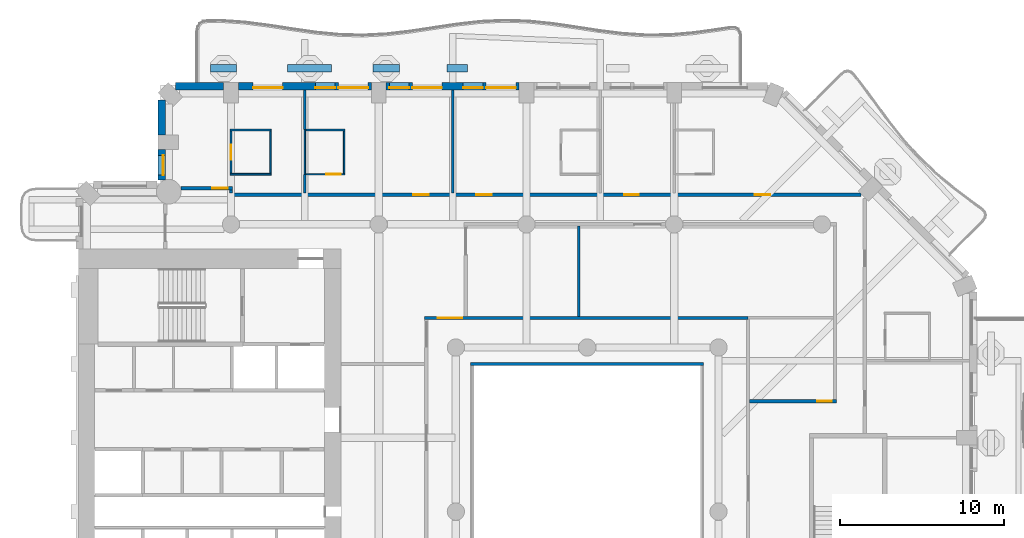
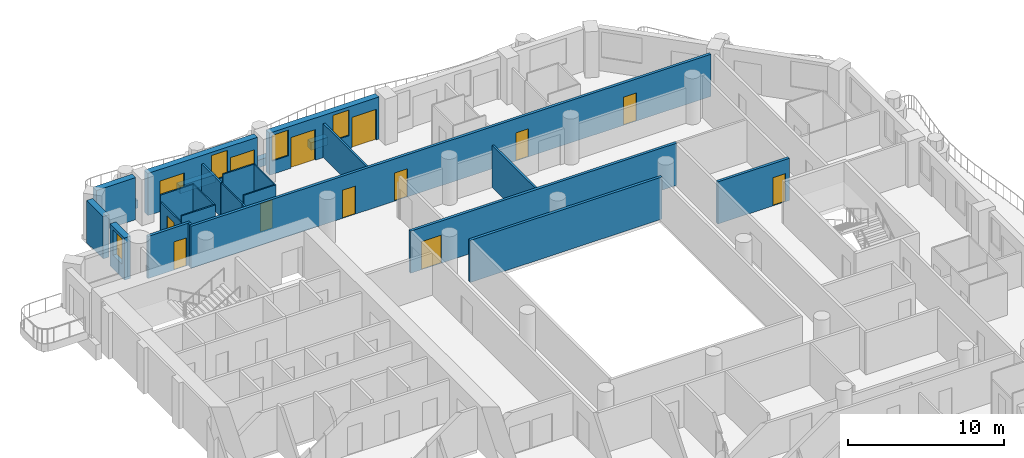
# One storey, part 8 of 20: 27 walls, 13 doors, 4 windows, 17 openings.
"""IFC4 building model written with IfcOpenShell, lengths in metres."""

from ifc_helpers import new_model, si_unit, direction, frame, frame_2d, origin, place, context, subcontext, project, spatial, rectangle, extrude, material, layer, layer_set, type_object, element, fill, save


model = new_model("IFC4")

# Units and contexts
model_context = context("Model", 3, precision=1e-05, world=origin(), true_north=direction((0.0, 1.0)))
body_context = subcontext(model_context, "Body", "Model", "MODEL_VIEW")
ifc_project = project(units=[si_unit("LENGTHUNIT", "METRE"), si_unit("AREAUNIT", "SQUARE_METRE"), si_unit("VOLUMEUNIT", "CUBIC_METRE"), si_unit("PLANEANGLEUNIT", "RADIAN"), si_unit("MASSUNIT", "GRAM", prefix="KILO")], contexts=[model_context])

# Site, building, storey
site_placement = place(None, origin())
site = spatial("IfcSite", under=ifc_project, at=site_placement, CompositionType="ELEMENT")
building_placement = place(site_placement, origin())
building = spatial("IfcBuilding", under=site, at=building_placement, Name="Cypress Arch Tower", CompositionType="ELEMENT")
storey_placement = place(building_placement, frame((0.0, 0.0, 123.89990234375)))
storey = spatial("IfcBuildingStorey", under=building, at=storey_placement, Name="L26", CompositionType="ELEMENT", Elevation=123.89990234375)

# Walls
ifc_material_1 = material(Name="Concrete C40/50, waterproofed", Category="concrete")
ifc_layer_1 = layer(ifc_material_1, 0.449951171875)
ifc_layer_set_1 = layer_set([ifc_layer_1], Name="Balcony planter wall PW450")
wall_type_1 = type_object("IfcWallType", Name="Balcony planter wall PW450", PredefinedType="SOLIDWALL", material=ifc_layer_set_1)
wall_1_placement = place(storey_placement, frame((-6.300048828125, 27.0, 0.0), z_axis=(0.0, 0.0, 1.0), x_axis=(-1.0, 0.0, 0.0)))
element("IfcWall", 1, at=wall_1_placement, inside=storey, type_object=wall_type_1, Name="Balcony planter wall L26-A08.3", PredefinedType="SOLIDWALL", context=body_context, shape_type="SweptSolid", body=[
    extrude(rectangle(XDim=1.25, YDim=0.449951171875, at=frame_2d((0.625, 0.0))), origin(), (0.0, 0.0, 1.0), 0.60009765625),
])
wall_2_placement = place(storey_placement, frame((-10.4375, 27.0, 0.0), z_axis=(0.0, 0.0, 1.0), x_axis=(-1.0, 0.0, 0.0)))
element("IfcWall", 2, at=wall_2_placement, inside=storey, type_object=wall_type_1, Name="Balcony planter wall L26-A08.4", PredefinedType="SOLIDWALL", context=body_context, shape_type="SweptSolid", body=[
    extrude(rectangle(XDim=1.612548828125, YDim=0.449951171875, at=frame_2d((0.80615234375, 0.0))), origin(), (0.0, 0.0, 1.0), 0.60009765625),
])
wall_3_placement = place(storey_placement, frame((-14.574951171875, 27.0, 0.0), z_axis=(0.0, 0.0, 1.0), x_axis=(-1.0, 0.0, 0.0)))
element("IfcWall", 3, at=wall_3_placement, inside=storey, type_object=wall_type_1, Name="Balcony planter wall L26-A08.5", PredefinedType="SOLIDWALL", context=body_context, shape_type="SweptSolid", body=[
    extrude(rectangle(XDim=2.675048828125, YDim=0.449951171875, at=frame_2d((1.33740234375, 0.0))), origin(), (0.0, 0.0, 1.0), 0.60009765625),
])
wall_4_placement = place(storey_placement, frame((-20.35009765625, 27.0, 0.0), z_axis=(0.0, 0.0, 1.0), x_axis=(-1.0, 0.0, 0.0)))
element("IfcWall", 4, at=wall_4_placement, inside=storey, type_object=wall_type_1, Name="Balcony planter wall L26-A08.6", PredefinedType="SOLIDWALL", context=body_context, shape_type="SweptSolid", body=[
    extrude(rectangle(XDim=1.599853515625, YDim=0.449951171875, at=frame_2d((0.7998046875, 0.0))), origin(), (0.0, 0.0, 1.0), 0.60009765625),
])

# Wall, openings, doors, windows
ifc_material_2 = material(Name="Brick (red buff blend)", Category="masonry")
ifc_layer_2 = layer(ifc_material_2, 0.449951171875)
ifc_layer_set_2 = layer_set([ifc_layer_2], Name="Brick pier and spandrel wall BW450")
wall_type_2 = type_object("IfcWallType", Name="Brick pier and spandrel wall BW450", PredefinedType="SOLIDWALL", material=ifc_layer_set_2)
wall_5_placement = place(storey_placement, frame((-3.14990234375, 25.925048828125, 0.0), z_axis=(0.0, 0.0, 1.0), x_axis=(-1.0, 0.0, 0.0)))
wall_5 = element("IfcWall", 5, at=wall_5_placement, inside=storey, type_object=wall_type_2, Name="Brick wall L26 A08.2", PredefinedType="SOLIDWALL", context=body_context, shape_type="SweptSolid", body=[
    extrude(rectangle(XDim=8.10009765625, YDim=0.449951171875, at=frame_2d((4.050048828125, 0.0))), origin(), (0.0, 0.0, 1.0), 3.300048828125),
])
opening_1_placement = place(wall_5_placement, frame((0.199951171875, 0.0, 0.0)))
opening_1 = element("IfcOpeningElement", 6, at=opening_1_placement, cuts=wall_5, Name="Opening D-L26-A08.2.1", PredefinedType="OPENING", context=body_context, shape_type="SweptSolid", body=[
    extrude(rectangle(XDim=1.800048828125, YDim=2.39990234375, at=frame_2d((0.89990234375, 1.199951171875))), frame((0.0, 0.23486328125, 0.0), z_axis=(0.0, -1.0, 0.0), x_axis=(1.0, 0.0, 0.0)), (0.0, 0.0, 1.0), 0.469970703125),
])
opening_2_placement = place(wall_5_placement, frame((2.199951171875, 0.0, 1.050048828125)))
opening_2 = element("IfcOpeningElement", 7, at=opening_2_placement, cuts=wall_5, Name="Opening W120HD", PredefinedType="OPENING", context=body_context, shape_type="SweptSolid", body=[
    extrude(rectangle(XDim=1.199951171875, YDim=2.0, at=frame_2d((0.60009765625, 1.0))), frame((0.0, 0.23486328125, 0.0), z_axis=(0.0, -1.0, 0.0), x_axis=(1.0, 0.0, 0.0)), (0.0, 0.0, 1.0), 0.469970703125),
])
opening_3_placement = place(wall_5_placement, frame((4.699951171875, 0.0, 0.0)))
opening_3 = element("IfcOpeningElement", 8, at=opening_3_placement, cuts=wall_5, Name="Opening D-L26-A08.2.2", PredefinedType="OPENING", context=body_context, shape_type="SweptSolid", body=[
    extrude(rectangle(XDim=1.800048828125, YDim=2.39990234375, at=frame_2d((0.89990234375, 1.199951171875))), frame((0.0, 0.23486328125, 0.0), z_axis=(0.0, -1.0, 0.0), x_axis=(1.0, 0.0, 0.0)), (0.0, 0.0, 1.0), 0.469970703125),
])
opening_4_placement = place(wall_5_placement, frame((6.699951171875, 0.0, 1.050048828125)))
opening_4 = element("IfcOpeningElement", 9, at=opening_4_placement, cuts=wall_5, Name="Opening W120HD", PredefinedType="OPENING", context=body_context, shape_type="SweptSolid", body=[
    extrude(rectangle(XDim=1.199951171875, YDim=2.0, at=frame_2d((0.60009765625, 1.0))), frame((0.0, 0.23486328125, 0.0), z_axis=(0.0, -1.0, 0.0), x_axis=(1.0, 0.0, 0.0)), (0.0, 0.0, 1.0), 0.469970703125),
])
ifc_material_3 = material(Name="Anodised aluminium, bronze finish, laminated low-emissivity double glazing, large-missile impact rated", Category="aluminium")
door_type_1 = type_object("IfcDoorType", Name="Balcony sliding door 1800x2400", OperationType="SLIDING_TO_LEFT", PredefinedType="DOOR", material=ifc_material_3)
door_1_placement = place(opening_1_placement, origin())
door_1 = element("IfcDoor", 10, at=door_1_placement, inside=storey, type_object=door_type_1, Name="Balcony door L26 A08.2.1", OperationType="SLIDING_TO_LEFT", OverallHeight=2.39990234375, OverallWidth=1.800048828125, PredefinedType="DOOR", context=body_context, shape_type="SweptSolid", body=[
    extrude(rectangle(XDim=1.800048828125, YDim=2.39990234375, at=frame_2d((0.89990234375, 1.199951171875))), frame((0.0, 0.1298828125, 0.0), z_axis=(0.0, -1.0, 0.0), x_axis=(1.0, 0.0, 0.0)), (0.0, 0.0, 1.0), 0.050048828125),
])
fill(opening_1, door_1)
door_2_placement = place(opening_3_placement, origin())
door_2 = element("IfcDoor", 11, at=door_2_placement, inside=storey, type_object=door_type_1, Name="Balcony door L26 A08.2.2", OperationType="SLIDING_TO_LEFT", OverallHeight=2.39990234375, OverallWidth=1.800048828125, PredefinedType="DOOR", context=body_context, shape_type="SweptSolid", body=[
    extrude(rectangle(XDim=1.800048828125, YDim=2.39990234375, at=frame_2d((0.89990234375, 1.199951171875))), frame((0.0, 0.1298828125, 0.0), z_axis=(0.0, -1.0, 0.0), x_axis=(1.0, 0.0, 0.0)), (0.0, 0.0, 1.0), 0.050048828125),
])
fill(opening_3, door_2)
ifc_material_4 = material(Name="Anodised aluminium, bronze finish, laminated low-emissivity double glazing, large-missile impact rated", Category="aluminium")
window_type_1 = type_object("IfcWindowType", Name="Window Hotel 1200x2000 debris-rated", PartitioningType="SINGLE_PANEL", PredefinedType="WINDOW", material=ifc_material_4)
window_1_placement = place(opening_2_placement, origin())
window_1 = element("IfcWindow", 12, at=window_1_placement, inside=storey, type_object=window_type_1, Name="Window L26 A08.2.1", OverallHeight=2.0, OverallWidth=1.199951171875, PartitioningType="SINGLE_PANEL", PredefinedType="WINDOW", context=body_context, shape_type="SweptSolid", body=[
    extrude(rectangle(XDim=1.199951171875, YDim=2.0, at=frame_2d((0.60009765625, 1.0))), frame((0.0, 0.135009765625, 0.0), z_axis=(0.0, -1.0, 0.0), x_axis=(1.0, 0.0, 0.0)), (0.0, 0.0, 1.0), 0.06005859375),
])
fill(opening_2, window_1)
window_2_placement = place(opening_4_placement, origin())
window_2 = element("IfcWindow", 13, at=window_2_placement, inside=storey, type_object=window_type_1, Name="Window L26 A08.2.2", OverallHeight=2.0, OverallWidth=1.199951171875, PartitioningType="SINGLE_PANEL", PredefinedType="WINDOW", context=body_context, shape_type="SweptSolid", body=[
    extrude(rectangle(XDim=1.199951171875, YDim=2.0, at=frame_2d((0.60009765625, 1.0))), frame((0.0, 0.135009765625, 0.0), z_axis=(0.0, -1.0, 0.0), x_axis=(1.0, 0.0, 0.0)), (0.0, 0.0, 1.0), 0.06005859375),
])
fill(opening_4, window_2)

# Wall, openings, doors, window
wall_6_placement = place(storey_placement, frame((-12.14990234375, 25.925048828125, 0.0), z_axis=(0.0, 0.0, 1.0), x_axis=(-1.0, 0.0, 0.0)))
wall_6 = element("IfcWall", 14, at=wall_6_placement, inside=storey, type_object=wall_type_2, Name="Brick wall L26 A08.3", PredefinedType="SOLIDWALL", context=body_context, shape_type="SweptSolid", body=[
    extrude(rectangle(XDim=8.10009765625, YDim=0.449951171875, at=frame_2d((4.050048828125, 0.0))), origin(), (0.0, 0.0, 1.0), 3.300048828125),
])
opening_5_placement = place(wall_6_placement, frame((0.199951171875, 0.0, 0.0)))
opening_5 = element("IfcOpeningElement", 15, at=opening_5_placement, cuts=wall_6, Name="Opening D-L26-A08.3.1", PredefinedType="OPENING", context=body_context, shape_type="SweptSolid", body=[
    extrude(rectangle(XDim=1.800048828125, YDim=2.39990234375, at=frame_2d((0.89990234375, 1.199951171875))), frame((0.0, 0.23486328125, 0.0), z_axis=(0.0, -1.0, 0.0), x_axis=(1.0, 0.0, 0.0)), (0.0, 0.0, 1.0), 0.469970703125),
])
opening_6_placement = place(wall_6_placement, frame((2.199951171875, 0.0, 1.050048828125)))
opening_6 = element("IfcOpeningElement", 16, at=opening_6_placement, cuts=wall_6, Name="Opening W120HD", PredefinedType="OPENING", context=body_context, shape_type="SweptSolid", body=[
    extrude(rectangle(XDim=1.199951171875, YDim=2.0, at=frame_2d((0.60009765625, 1.0))), frame((0.0, 0.23486328125, 0.0), z_axis=(0.0, -1.0, 0.0), x_axis=(1.0, 0.0, 0.0)), (0.0, 0.0, 1.0), 0.469970703125),
])
opening_7_placement = place(wall_6_placement, frame((5.39990234375, 0.0, 0.0)))
opening_7 = element("IfcOpeningElement", 17, at=opening_7_placement, cuts=wall_6, Name="Opening D-L26-A08.3.2", PredefinedType="OPENING", context=body_context, shape_type="SweptSolid", body=[
    extrude(rectangle(XDim=1.800048828125, YDim=2.39990234375, at=frame_2d((0.89990234375, 1.199951171875))), frame((0.0, 0.23486328125, 0.0), z_axis=(0.0, -1.0, 0.0), x_axis=(1.0, 0.0, 0.0)), (0.0, 0.0, 1.0), 0.469970703125),
])
door_3_placement = place(opening_5_placement, origin())
door_3 = element("IfcDoor", 18, at=door_3_placement, inside=storey, type_object=door_type_1, Name="Balcony door L26 A08.3.1", OperationType="SLIDING_TO_LEFT", OverallHeight=2.39990234375, OverallWidth=1.800048828125, PredefinedType="DOOR", context=body_context, shape_type="SweptSolid", body=[
    extrude(rectangle(XDim=1.800048828125, YDim=2.39990234375, at=frame_2d((0.89990234375, 1.199951171875))), frame((0.0, 0.1298828125, 0.0), z_axis=(0.0, -1.0, 0.0), x_axis=(1.0, 0.0, 0.0)), (0.0, 0.0, 1.0), 0.050048828125),
])
fill(opening_5, door_3)
door_4_placement = place(opening_7_placement, origin())
door_4 = element("IfcDoor", 19, at=door_4_placement, inside=storey, type_object=door_type_1, Name="Balcony door L26 A08.3.2", OperationType="SLIDING_TO_LEFT", OverallHeight=2.39990234375, OverallWidth=1.800048828125, PredefinedType="DOOR", context=body_context, shape_type="SweptSolid", body=[
    extrude(rectangle(XDim=1.800048828125, YDim=2.39990234375, at=frame_2d((0.89990234375, 1.199951171875))), frame((0.0, 0.1298828125, 0.0), z_axis=(0.0, -1.0, 0.0), x_axis=(1.0, 0.0, 0.0)), (0.0, 0.0, 1.0), 0.050048828125),
])
fill(opening_7, door_4)
window_3_placement = place(opening_6_placement, origin())
window_3 = element("IfcWindow", 20, at=window_3_placement, inside=storey, type_object=window_type_1, Name="Window L26 A08.3.1", OverallHeight=2.0, OverallWidth=1.199951171875, PartitioningType="SINGLE_PANEL", PredefinedType="WINDOW", context=body_context, shape_type="SweptSolid", body=[
    extrude(rectangle(XDim=1.199951171875, YDim=2.0, at=frame_2d((0.60009765625, 1.0))), frame((0.0, 0.135009765625, 0.0), z_axis=(0.0, -1.0, 0.0), x_axis=(1.0, 0.0, 0.0)), (0.0, 0.0, 1.0), 0.06005859375),
])
fill(opening_6, window_3)

# Walls
wall_7_placement = place(storey_placement, frame((-21.14990234375, 25.925048828125, 0.0), z_axis=(0.0, 0.0, 1.0), x_axis=(-1.0, 0.0, 0.0)))
element("IfcWall", 21, at=wall_7_placement, inside=storey, type_object=wall_type_2, Name="Brick wall L26 A08.4", PredefinedType="SOLIDWALL", context=body_context, shape_type="SweptSolid", body=[
    extrude(rectangle(XDim=2.913818359375, YDim=0.449951171875, at=frame_2d((1.45703125, 0.0))), origin(), (0.0, 0.0, 1.0), 3.300048828125),
])
wall_8_placement = place(storey_placement, frame((-24.925048828125, 25.063720703125, 0.0), z_axis=(0.0, 0.0, 1.0), x_axis=(0.0, -1.0, 0.0)))
element("IfcWall", 22, at=wall_8_placement, inside=storey, type_object=wall_type_2, Name="Brick wall L26 A09.0", PredefinedType="SOLIDWALL", context=body_context, shape_type="SweptSolid", body=[
    extrude(rectangle(XDim=2.11376953125, YDim=0.449951171875, at=frame_2d((1.056884765625, 0.0))), origin(), (0.0, 0.0, 1.0), 3.300048828125),
])

# Wall, opening, window
wall_9_placement = place(storey_placement, frame((-24.925048828125, 22.050048828125, 0.0), z_axis=(0.0, 0.0, 1.0), x_axis=(0.0, -1.0, 0.0)))
wall_9 = element("IfcWall", 23, at=wall_9_placement, inside=storey, type_object=wall_type_2, Name="Brick wall L26 A09.1", PredefinedType="SOLIDWALL", context=body_context, shape_type="SweptSolid", body=[
    extrude(rectangle(XDim=1.843017578125, YDim=0.449951171875, at=frame_2d((0.92138671875, 0.0))), origin(), (0.0, 0.0, 1.0), 3.300048828125),
])
opening_8_placement = place(wall_9_placement, frame((0.35009765625, 0.0, 1.050048828125)))
opening_8 = element("IfcOpeningElement", 24, at=opening_8_placement, cuts=wall_9, Name="Opening W120H", PredefinedType="OPENING", context=body_context, shape_type="SweptSolid", body=[
    extrude(rectangle(XDim=1.199951171875, YDim=2.0, at=frame_2d((0.60009765625, 1.0))), frame((0.0, 0.23486328125, 0.0), z_axis=(0.0, -1.0, 0.0), x_axis=(1.0, 0.0, 0.0)), (0.0, 0.0, 1.0), 0.469970703125),
])
ifc_material_5 = material(Name="Anodised aluminium, bronze finish, clear low-emissivity double glazing", Category="aluminium")
window_type_2 = type_object("IfcWindowType", Name="Window Hotel 1200x2000", PartitioningType="SINGLE_PANEL", PredefinedType="WINDOW", material=ifc_material_5)
window_4_placement = place(opening_8_placement, origin())
window_4 = element("IfcWindow", 25, at=window_4_placement, inside=storey, type_object=window_type_2, Name="Window L26 A09.1.1", OverallHeight=2.0, OverallWidth=1.199951171875, PartitioningType="SINGLE_PANEL", PredefinedType="WINDOW", context=body_context, shape_type="SweptSolid", body=[
    extrude(rectangle(XDim=1.199951171875, YDim=2.0, at=frame_2d((0.60009765625, 1.0))), frame((0.0, 0.135009765625, 0.0), z_axis=(0.0, -1.0, 0.0), x_axis=(1.0, 0.0, 0.0)), (0.0, 0.0, 1.0), 0.06005859375),
])
fill(opening_8, window_4)

# Wall, opening, door
ifc_material_6 = material(Name="Concrete blockwork, plastered, rated", Category="masonry")
ifc_layer_3 = layer(ifc_material_6, 0.199951171875)
ifc_layer_set_3 = layer_set([ifc_layer_3], Name="Corridor wall FW200")
wall_type_3 = type_object("IfcWallType", Name="Corridor wall FW200", PredefinedType="PARTITIONING", material=ifc_layer_set_3)
wall_10_placement = place(storey_placement, frame((-23.752197265625, 19.699951171875, 0.0), z_axis=(0.0, 0.0, 1.0), x_axis=(1.0, 0.0, 0.0)))
wall_10 = element("IfcWall", 26, at=wall_10_placement, inside=storey, type_object=wall_type_3, Name="Corridor wall", PredefinedType="PARTITIONING", context=body_context, shape_type="SweptSolid", body=[
    extrude(rectangle(XDim=3.152099609375, YDim=0.199951171875, at=frame_2d((1.576171875, 0.0))), origin(), (0.0, 0.0, 1.0), 3.300048828125),
])
opening_9_placement = place(wall_10_placement, frame((1.89990234375, 0.0, 0.0)))
opening_9 = element("IfcOpeningElement", 27, at=opening_9_placement, cuts=wall_10, Name="Opening D02", PredefinedType="OPENING", context=body_context, shape_type="SweptSolid", body=[
    extrude(rectangle(XDim=0.949951171875, YDim=2.199951171875, at=frame_2d((0.47509765625, 1.10009765625))), frame((0.0, 0.10986328125, 0.0), z_axis=(0.0, -1.0, 0.0), x_axis=(1.0, 0.0, 0.0)), (0.0, 0.0, 1.0), 0.219970703125),
])
ifc_material_7 = material(Name="Timber flush door, fire resisting", Category="wood")
door_type_2 = type_object("IfcDoorType", Name="Room door D02 950x2200", OperationType="SINGLE_SWING_LEFT", PredefinedType="DOOR", material=ifc_material_7)
door_5_placement = place(opening_9_placement, origin())
door_5 = element("IfcDoor", 28, at=door_5_placement, inside=storey, type_object=door_type_2, Name="Room door", OperationType="SINGLE_SWING_LEFT", OverallHeight=2.199951171875, OverallWidth=0.949951171875, PredefinedType="DOOR", context=body_context, shape_type="SweptSolid", body=[
    extrude(rectangle(XDim=0.949951171875, YDim=2.199951171875, at=frame_2d((0.47509765625, 1.10009765625))), frame((0.0, 0.02490234375, 0.0), z_axis=(0.0, -1.0, 0.0), x_axis=(1.0, 0.0, 0.0)), (0.0, 0.0, 1.0), 0.050048828125),
])
fill(opening_9, door_5)

# Wall
wall_11_placement = place(storey_placement, frame((-20.699951171875, 19.39990234375, 0.0), z_axis=(0.0, 0.0, 1.0), x_axis=(0.0, 1.0, 0.0)))
element("IfcWall", 29, at=wall_11_placement, inside=storey, type_object=wall_type_3, Name="Corridor wall", PredefinedType="PARTITIONING", context=body_context, shape_type="SweptSolid", body=[
    extrude(rectangle(XDim=0.2001953125, YDim=0.199951171875, at=frame_2d((0.10009765625, 0.0))), origin(), (0.0, 0.0, 1.0), 3.300048828125),
])

# Wall, openings, doors
wall_12_placement = place(storey_placement, frame((-20.800048828125, 19.300048828125, 0.0), z_axis=(0.0, 0.0, 1.0), x_axis=(1.0, 0.0, 0.0)))
wall_12 = element("IfcWall", 30, at=wall_12_placement, inside=storey, type_object=wall_type_3, Name="Corridor wall", PredefinedType="PARTITIONING", context=body_context, shape_type="SweptSolid", body=[
    extrude(rectangle(XDim=38.46435546875, YDim=0.199951171875, at=frame_2d((19.232177734375, 0.0))), origin(), (0.0, 0.0, 1.0), 3.300048828125),
])
opening_10_placement = place(wall_12_placement, frame((24.050048828125, 0.0, 0.0)))
opening_10 = element("IfcOpeningElement", 31, at=opening_10_placement, cuts=wall_12, Name="Opening D05", PredefinedType="OPENING", context=body_context, shape_type="SweptSolid", body=[
    extrude(rectangle(XDim=0.89990234375, YDim=2.199951171875, at=frame_2d((0.449951171875, 1.10009765625))), frame((0.0, 0.10986328125, 0.0), z_axis=(0.0, -1.0, 0.0), x_axis=(1.0, 0.0, 0.0)), (0.0, 0.0, 1.0), 0.219970703125),
])
opening_11_placement = place(wall_12_placement, frame((11.199951171875, 0.0, 0.0)))
opening_11 = element("IfcOpeningElement", 32, at=opening_11_placement, cuts=wall_12, Name="Opening D02", PredefinedType="OPENING", context=body_context, shape_type="SweptSolid", body=[
    extrude(rectangle(XDim=0.949951171875, YDim=2.199951171875, at=frame_2d((0.47509765625, 1.10009765625))), frame((0.0, 0.10986328125, 0.0), z_axis=(0.0, -1.0, 0.0), x_axis=(1.0, 0.0, 0.0)), (0.0, 0.0, 1.0), 0.219970703125),
])
opening_12_placement = place(wall_12_placement, frame((15.050048828125, 0.0, 0.0)))
opening_12 = element("IfcOpeningElement", 33, at=opening_12_placement, cuts=wall_12, Name="Opening D02", PredefinedType="OPENING", context=body_context, shape_type="SweptSolid", body=[
    extrude(rectangle(XDim=0.949951171875, YDim=2.199951171875, at=frame_2d((0.47509765625, 1.10009765625))), frame((0.0, 0.10986328125, 0.0), z_axis=(0.0, -1.0, 0.0), x_axis=(1.0, 0.0, 0.0)), (0.0, 0.0, 1.0), 0.219970703125),
])
opening_13_placement = place(wall_12_placement, frame((32.0, 0.0, 0.0)))
opening_13 = element("IfcOpeningElement", 34, at=opening_13_placement, cuts=wall_12, Name="Opening D02", PredefinedType="OPENING", context=body_context, shape_type="SweptSolid", body=[
    extrude(rectangle(XDim=0.949951171875, YDim=2.199951171875, at=frame_2d((0.47509765625, 1.10009765625))), frame((0.0, 0.10986328125, 0.0), z_axis=(0.0, -1.0, 0.0), x_axis=(1.0, 0.0, 0.0)), (0.0, 0.0, 1.0), 0.219970703125),
])
door_6_placement = place(opening_11_placement, origin())
door_6 = element("IfcDoor", 35, at=door_6_placement, inside=storey, type_object=door_type_2, Name="Room door", OperationType="SINGLE_SWING_RIGHT", OverallHeight=2.199951171875, OverallWidth=0.949951171875, PredefinedType="DOOR", context=body_context, shape_type="SweptSolid", body=[
    extrude(rectangle(XDim=0.949951171875, YDim=2.199951171875, at=frame_2d((0.47509765625, 1.10009765625))), frame((0.0, 0.02490234375, 0.0), z_axis=(0.0, -1.0, 0.0), x_axis=(1.0, 0.0, 0.0)), (0.0, 0.0, 1.0), 0.050048828125),
])
fill(opening_11, door_6)
door_7_placement = place(opening_12_placement, origin())
door_7 = element("IfcDoor", 36, at=door_7_placement, inside=storey, type_object=door_type_2, Name="Room door", OperationType="SINGLE_SWING_LEFT", OverallHeight=2.199951171875, OverallWidth=0.949951171875, PredefinedType="DOOR", context=body_context, shape_type="SweptSolid", body=[
    extrude(rectangle(XDim=0.949951171875, YDim=2.199951171875, at=frame_2d((0.47509765625, 1.10009765625))), frame((0.0, 0.02490234375, 0.0), z_axis=(0.0, -1.0, 0.0), x_axis=(1.0, 0.0, 0.0)), (0.0, 0.0, 1.0), 0.050048828125),
])
fill(opening_12, door_7)
door_8_placement = place(opening_13_placement, origin())
door_8 = element("IfcDoor", 37, at=door_8_placement, inside=storey, type_object=door_type_2, Name="Room door", OperationType="SINGLE_SWING_RIGHT", OverallHeight=2.199951171875, OverallWidth=0.949951171875, PredefinedType="DOOR", context=body_context, shape_type="SweptSolid", body=[
    extrude(rectangle(XDim=0.949951171875, YDim=2.199951171875, at=frame_2d((0.47509765625, 1.10009765625))), frame((0.0, 0.02490234375, 0.0), z_axis=(0.0, -1.0, 0.0), x_axis=(1.0, 0.0, 0.0)), (0.0, 0.0, 1.0), 0.050048828125),
])
fill(opening_13, door_8)
ifc_material_8 = material(Name="Timber flush door", Category="wood")
door_type_3 = type_object("IfcDoorType", Name="Service door D05 900x2200", OperationType="SINGLE_SWING_LEFT", PredefinedType="DOOR", material=ifc_material_8)
door_9_placement = place(opening_10_placement, origin())
door_9 = element("IfcDoor", 38, at=door_9_placement, inside=storey, type_object=door_type_3, Name="Service door", OperationType="SINGLE_SWING_LEFT", OverallHeight=2.199951171875, OverallWidth=0.89990234375, PredefinedType="DOOR", context=body_context, shape_type="SweptSolid", body=[
    extrude(rectangle(XDim=0.89990234375, YDim=2.199951171875, at=frame_2d((0.449951171875, 1.10009765625))), frame((0.0, 0.02490234375, 0.0), z_axis=(0.0, -1.0, 0.0), x_axis=(1.0, 0.0, 0.0)), (0.0, 0.0, 1.0), 0.050048828125),
])
fill(opening_10, door_9)

# Wall, opening, door
wall_13_placement = place(storey_placement, frame((-8.89990234375, 11.800048828125, 0.0), z_axis=(0.0, 0.0, 1.0), x_axis=(1.0, 0.0, 0.0)))
wall_13 = element("IfcWall", 39, at=wall_13_placement, inside=storey, type_object=wall_type_3, Name="Corridor wall", PredefinedType="PARTITIONING", context=body_context, shape_type="SweptSolid", body=[
    extrude(rectangle(XDim=19.699951171875, YDim=0.199951171875, at=frame_2d((9.85009765625, 0.0))), origin(), (0.0, 0.0, 1.0), 3.300048828125),
])
opening_14_placement = place(wall_13_placement, frame((0.800048828125, 0.0, 0.0)))
opening_14 = element("IfcOpeningElement", 40, at=opening_14_placement, cuts=wall_13, Name="Opening D04", PredefinedType="OPENING", context=body_context, shape_type="SweptSolid", body=[
    extrude(rectangle(XDim=1.5, YDim=2.199951171875, at=frame_2d((0.75, 1.10009765625))), frame((0.0, 0.10986328125, 0.0), z_axis=(0.0, -1.0, 0.0), x_axis=(1.0, 0.0, 0.0)), (0.0, 0.0, 1.0), 0.219970703125),
])
ifc_material_9 = material(Name="Timber double door", Category="wood")
door_type_4 = type_object("IfcDoorType", Name="Double door D04 1500x2200", OperationType="DOUBLE_DOOR_SINGLE_SWING", PredefinedType="DOOR", material=ifc_material_9)
door_10_placement = place(opening_14_placement, origin())
door_10 = element("IfcDoor", 41, at=door_10_placement, inside=storey, type_object=door_type_4, Name="Double door", OperationType="DOUBLE_DOOR_SINGLE_SWING", OverallHeight=2.199951171875, OverallWidth=1.5, PredefinedType="DOOR", context=body_context, shape_type="SweptSolid", body=[
    extrude(rectangle(XDim=1.5, YDim=2.199951171875, at=frame_2d((0.75, 1.10009765625))), frame((0.0, 0.02490234375, 0.0), z_axis=(0.0, -1.0, 0.0), x_axis=(1.0, 0.0, 0.0)), (0.0, 0.0, 1.0), 0.050048828125),
])
fill(opening_14, door_10)

# Wall
wall_14_placement = place(storey_placement, frame((-6.10009765625, 9.0, 0.0), z_axis=(0.0, 0.0, 1.0), x_axis=(1.0, 0.0, 0.0)))
element("IfcWall", 42, at=wall_14_placement, inside=storey, type_object=wall_type_3, Name="Corridor wall", PredefinedType="PARTITIONING", context=body_context, shape_type="SweptSolid", body=[
    extrude(rectangle(XDim=14.2001953125, YDim=0.199951171875, at=frame_2d((7.10009765625, 0.0))), origin(), (0.0, 0.0, 1.0), 3.300048828125),
])

# Wall, opening, door
wall_15_placement = place(storey_placement, frame((10.89990234375, 6.72509765625, 0.0), z_axis=(0.0, 0.0, 1.0), x_axis=(1.0, 0.0, 0.0)))
wall_15 = element("IfcWall", 43, at=wall_15_placement, inside=storey, type_object=wall_type_3, Name="Corridor wall", PredefinedType="PARTITIONING", context=body_context, shape_type="SweptSolid", body=[
    extrude(rectangle(XDim=5.300048828125, YDim=0.199951171875, at=frame_2d((2.64990234375, 0.0))), origin(), (0.0, 0.0, 1.0), 3.300048828125),
])
opening_15_placement = place(wall_15_placement, frame((4.10009765625, 0.0, 0.0)))
opening_15 = element("IfcOpeningElement", 44, at=opening_15_placement, cuts=wall_15, Name="Opening D05", PredefinedType="OPENING", context=body_context, shape_type="SweptSolid", body=[
    extrude(rectangle(XDim=0.89990234375, YDim=2.199951171875, at=frame_2d((0.449951171875, 1.10009765625))), frame((0.0, 0.10986328125, 0.0), z_axis=(0.0, -1.0, 0.0), x_axis=(1.0, 0.0, 0.0)), (0.0, 0.0, 1.0), 0.219970703125),
])
door_11_placement = place(opening_15_placement, origin())
door_11 = element("IfcDoor", 45, at=door_11_placement, inside=storey, type_object=door_type_3, Name="Service door", OperationType="SINGLE_SWING_RIGHT", OverallHeight=2.199951171875, OverallWidth=0.89990234375, PredefinedType="DOOR", context=body_context, shape_type="SweptSolid", body=[
    extrude(rectangle(XDim=0.89990234375, YDim=2.199951171875, at=frame_2d((0.449951171875, 1.10009765625))), frame((0.0, 0.02490234375, 0.0), z_axis=(0.0, -1.0, 0.0), x_axis=(1.0, 0.0, 0.0)), (0.0, 0.0, 1.0), 0.050048828125),
])
fill(opening_15, door_11)

# Walls
ifc_material_10 = material(Name="Blockwork, plastered both sides", Category="masonry")
ifc_layer_4 = layer(ifc_material_10, 0.14990234375)
ifc_layer_set_4 = layer_set([ifc_layer_4], Name="Partition PW150")
wall_type_4 = type_object("IfcWallType", Name="Partition PW150", PredefinedType="PARTITIONING", material=ifc_layer_set_4)
wall_16_placement = place(storey_placement, frame((-16.199951171875, 19.39990234375, 0.0), z_axis=(0.0, 0.0, 1.0), x_axis=(0.0, 1.0, 0.0)))
element("IfcWall", 46, at=wall_16_placement, inside=storey, type_object=wall_type_4, Name="Partition", PredefinedType="PARTITIONING", context=body_context, shape_type="SweptSolid", body=[
    extrude(rectangle(XDim=1.130126953125, YDim=0.14990234375, at=frame_2d((0.56494140625, 0.0))), origin(), (0.0, 0.0, 1.0), 2.650146484375),
])
wall_17_placement = place(storey_placement, frame((-16.199951171875, 23.27001953125, 0.0), z_axis=(0.0, 0.0, 1.0), x_axis=(0.0, 1.0, 0.0)))
element("IfcWall", 47, at=wall_17_placement, inside=storey, type_object=wall_type_4, Name="Partition", PredefinedType="PARTITIONING", context=body_context, shape_type="SweptSolid", body=[
    extrude(rectangle(XDim=2.429931640625, YDim=0.14990234375, at=frame_2d((1.21484375, 0.0))), origin(), (0.0, 0.0, 1.0), 2.650146484375),
])
wall_18_placement = place(storey_placement, frame((-7.199951171875, 19.39990234375, 0.0), z_axis=(0.0, 0.0, 1.0), x_axis=(0.0, 1.0, 0.0)))
element("IfcWall", 48, at=wall_18_placement, inside=storey, type_object=wall_type_4, Name="Partition", PredefinedType="PARTITIONING", context=body_context, shape_type="SweptSolid", body=[
    extrude(rectangle(XDim=6.300048828125, YDim=0.14990234375, at=frame_2d((3.14990234375, 0.0))), origin(), (0.0, 0.0, 1.0), 2.650146484375),
])
wall_19_placement = place(storey_placement, frame((0.5, 11.89990234375, 0.0), z_axis=(0.0, 0.0, 1.0), x_axis=(0.0, 1.0, 0.0)))
element("IfcWall", 49, at=wall_19_placement, inside=storey, type_object=wall_type_4, Name="Partition", PredefinedType="PARTITIONING", context=body_context, shape_type="SweptSolid", body=[
    extrude(rectangle(XDim=5.5, YDim=0.14990234375, at=frame_2d((2.75, 0.0))), origin(), (0.0, 0.0, 1.0), 3.300048828125),
])

# Wall, opening, door
ifc_material_11 = material(Name="Moisture resistant board on steel studs, tiled", Category="steel")
ifc_layer_5 = layer(ifc_material_11, 0.10009765625)
ifc_layer_set_5 = layer_set([ifc_layer_5], Name="Wet wall PW100")
wall_type_5 = type_object("IfcWallType", Name="Wet wall PW100", PredefinedType="PARTITIONING", material=ifc_layer_set_5)
wall_20_placement = place(storey_placement, frame((-20.699951171875, 20.60009765625, 0.0), z_axis=(0.0, 0.0, 1.0), x_axis=(0.0, 1.0, 0.0)))
wall_20 = element("IfcWall", 50, at=wall_20_placement, inside=storey, type_object=wall_type_5, Name="Wet wall", PredefinedType="PARTITIONING", context=body_context, shape_type="SweptSolid", body=[
    extrude(rectangle(XDim=2.599853515625, YDim=0.10009765625, at=frame_2d((1.2998046875, 0.0))), origin(), (0.0, 0.0, 1.0), 2.75),
])
opening_16_placement = place(wall_20_placement, frame((0.85009765625, 0.0, 0.0)))
opening_16 = element("IfcOpeningElement", 51, at=opening_16_placement, cuts=wall_20, Name="Opening D03", PredefinedType="OPENING", context=body_context, shape_type="SweptSolid", body=[
    extrude(rectangle(XDim=0.89990234375, YDim=2.199951171875, at=frame_2d((0.449951171875, 1.10009765625))), frame((0.0, 0.06005859375, 0.0), z_axis=(0.0, -1.0, 0.0), x_axis=(1.0, 0.0, 0.0)), (0.0, 0.0, 1.0), 0.1201171875),
])
ifc_material_12 = material(Name="Timber flush door, moisture resistant", Category="wood")
door_type_5 = type_object("IfcDoorType", Name="Bathroom door D03 900x2200", OperationType="SINGLE_SWING_LEFT", PredefinedType="DOOR", material=ifc_material_12)
door_12_placement = place(opening_16_placement, origin())
door_12 = element("IfcDoor", 52, at=door_12_placement, inside=storey, type_object=door_type_5, Name="Bathroom door", OperationType="SINGLE_SWING_LEFT", OverallHeight=2.199951171875, OverallWidth=0.89990234375, PredefinedType="DOOR", context=body_context, shape_type="SweptSolid", body=[
    extrude(rectangle(XDim=0.89990234375, YDim=2.199951171875, at=frame_2d((0.449951171875, 1.10009765625))), frame((0.0, 0.02490234375, 0.0), z_axis=(0.0, -1.0, 0.0), x_axis=(1.0, 0.0, 0.0)), (0.0, 0.0, 1.0), 0.050048828125),
])
fill(opening_16, door_12)

# Walls
for number, where, z_axis, x_axis, name in (
    (53, (-20.75, 20.550048828125, 0.0), (0.0, 0.0, 1.0), (1.0, 0.0, 0.0), "Wet wall"),
    (54, (-20.75, 23.25, 0.0), (0.0, 0.0, 1.0), (1.0, 0.0, 0.0), "Wet wall"),
):
    element("IfcWall", number, at=place(storey_placement, frame(where, z_axis=z_axis, x_axis=x_axis)), inside=storey, type_object=wall_type_5, Name=name, PredefinedType="PARTITIONING", context=body_context, shape_type="SweptSolid", body=[
        extrude(rectangle(XDim=2.5, YDim=0.10009765625, at=frame_2d((1.25, 0.0))), origin(), (0.0, 0.0, 1.0), 3.300048828125),
    ])
wall_21_placement = place(storey_placement, frame((-18.300048828125, 20.60009765625, 0.0), z_axis=(0.0, 0.0, 1.0), x_axis=(0.0, 1.0, 0.0)))
element("IfcWall", 55, at=wall_21_placement, inside=storey, type_object=wall_type_5, Name="Wet wall", PredefinedType="PARTITIONING", context=body_context, shape_type="SweptSolid", body=[
    extrude(rectangle(XDim=2.599853515625, YDim=0.10009765625, at=frame_2d((1.2998046875, 0.0))), origin(), (0.0, 0.0, 1.0), 3.300048828125),
])
wall_22_placement = place(storey_placement, frame((-16.199951171875, 20.530029296875, 0.0), z_axis=(0.0, 0.0, 1.0), x_axis=(0.0, 1.0, 0.0)))
element("IfcWall", 56, at=wall_22_placement, inside=storey, type_object=wall_type_5, Name="Wet wall", PredefinedType="PARTITIONING", context=body_context, shape_type="SweptSolid", body=[
    extrude(rectangle(XDim=2.739990234375, YDim=0.10009765625, at=frame_2d((1.3701171875, 0.0))), origin(), (0.0, 0.0, 1.0), 2.650146484375),
])

# Wall, opening, door
wall_23_placement = place(storey_placement, frame((-16.14990234375, 20.550048828125, 0.0), z_axis=(0.0, 0.0, 1.0), x_axis=(1.0, 0.0, 0.0)))
wall_23 = element("IfcWall", 57, at=wall_23_placement, inside=storey, type_object=wall_type_5, Name="Wet wall", PredefinedType="PARTITIONING", context=body_context, shape_type="SweptSolid", body=[
    extrude(rectangle(XDim=2.39599609375, YDim=0.10009765625, at=frame_2d((1.197998046875, 0.0))), origin(), (0.0, 0.0, 1.0), 3.300048828125),
])
opening_17_placement = place(wall_23_placement, frame((1.25, 0.0, 0.0)))
opening_17 = element("IfcOpeningElement", 58, at=opening_17_placement, cuts=wall_23, Name="Opening D03", PredefinedType="OPENING", context=body_context, shape_type="SweptSolid", body=[
    extrude(rectangle(XDim=0.89990234375, YDim=2.199951171875, at=frame_2d((0.449951171875, 1.10009765625))), frame((0.0, 0.06005859375, 0.0), z_axis=(0.0, -1.0, 0.0), x_axis=(1.0, 0.0, 0.0)), (0.0, 0.0, 1.0), 0.1201171875),
])
door_13_placement = place(opening_17_placement, origin())
door_13 = element("IfcDoor", 59, at=door_13_placement, inside=storey, type_object=door_type_5, Name="Bathroom door", OperationType="SINGLE_SWING_RIGHT", OverallHeight=2.199951171875, OverallWidth=0.89990234375, PredefinedType="DOOR", context=body_context, shape_type="SweptSolid", body=[
    extrude(rectangle(XDim=0.89990234375, YDim=2.199951171875, at=frame_2d((0.449951171875, 1.10009765625))), frame((0.0, 0.02490234375, 0.0), z_axis=(0.0, -1.0, 0.0), x_axis=(1.0, 0.0, 0.0)), (0.0, 0.0, 1.0), 0.050048828125),
])
fill(opening_17, door_13)

# Walls
wall_24_placement = place(storey_placement, frame((-16.125, 23.25, 0.0), z_axis=(0.0, 0.0, 1.0), x_axis=(1.0, 0.0, 0.0)))
element("IfcWall", 60, at=wall_24_placement, inside=storey, type_object=wall_type_5, Name="Wet wall", PredefinedType="PARTITIONING", context=body_context, shape_type="SweptSolid", body=[
    extrude(rectangle(XDim=2.37109375, YDim=0.10009765625, at=frame_2d((1.185546875, 0.0))), origin(), (0.0, 0.0, 1.0), 3.300048828125),
])
wall_25_placement = place(storey_placement, frame((-13.803955078125, 20.60009765625, 0.0), z_axis=(0.0, 0.0, 1.0), x_axis=(0.0, 1.0, 0.0)))
element("IfcWall", 61, at=wall_25_placement, inside=storey, type_object=wall_type_5, Name="Wet wall", PredefinedType="PARTITIONING", context=body_context, shape_type="SweptSolid", body=[
    extrude(rectangle(XDim=2.599853515625, YDim=0.10009765625, at=frame_2d((1.2998046875, 0.0))), origin(), (0.0, 0.0, 1.0), 3.300048828125),
])

save(model, "model.ifc")
